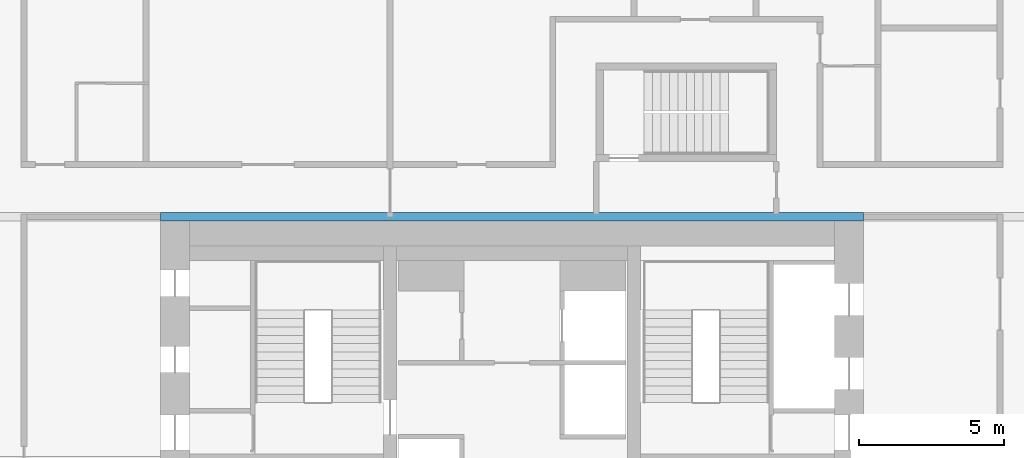
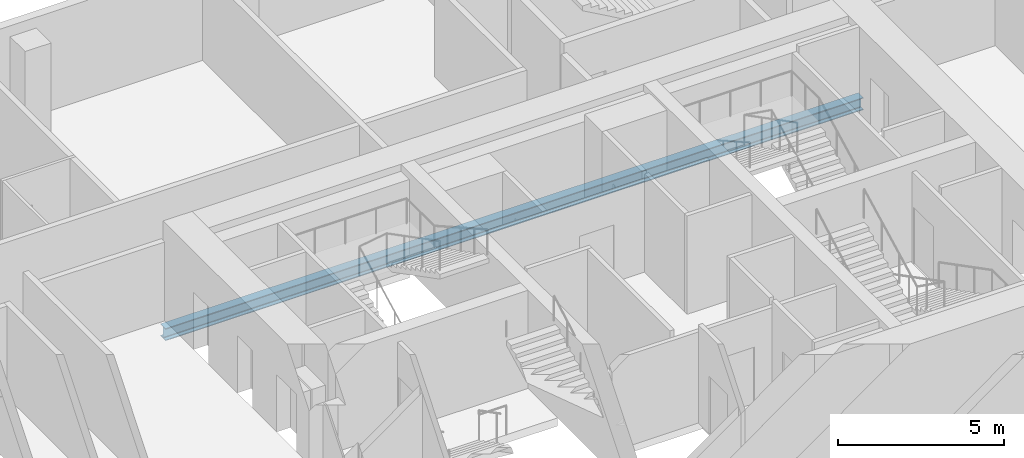
# One storey, part 9 of 23: 1 beam.
"""IFC4 building model written with IfcOpenShell, lengths in metres."""

from ifc_helpers import new_model, si_unit, direction, frame, origin, origin_2d, place, context, subcontext, project, spatial, i_section, extrude, material, material_profile, profile_set, type_object, element, save


model = new_model("IFC4")

# Units and contexts
model_context = context("Model", 3, precision=1e-05, world=origin(), true_north=direction((0.0, 1.0)))
body_context = subcontext(model_context, "Body", "Model", "MODEL_VIEW")
ifc_project = project(units=[si_unit("LENGTHUNIT", "METRE"), si_unit("AREAUNIT", "SQUARE_METRE"), si_unit("VOLUMEUNIT", "CUBIC_METRE"), si_unit("PLANEANGLEUNIT", "RADIAN"), si_unit("MASSUNIT", "GRAM", prefix="KILO")], contexts=[model_context])

# Site, building, storey
site_placement = place(None, origin())
site = spatial("IfcSite", under=ifc_project, at=site_placement, CompositionType="ELEMENT")
building_placement = place(site_placement, origin())
building = spatial("IfcBuilding", under=site, at=building_placement, Name="Marenta Gate Hotel Tower", CompositionType="ELEMENT")
storey_placement = place(building_placement, frame((0.0, 0.0, 148.10009765625)))
storey = spatial("IfcBuildingStorey", under=building, at=storey_placement, Name="L34", CompositionType="ELEMENT", Elevation=148.10009765625)

# Beam
ifc_material = material(Name="Steel S355", Category="steel")
ifc_material_profile = material_profile(ifc_material, i_section(OverallWidth=0.300048828125, OverallDepth=0.449951171875, WebThickness=0.013916015625, FlangeThickness=0.02587890625, FilletRadius=0.027099609375, at=origin_2d()), Name="HEB 450")
ifc_profile_set = profile_set([ifc_material_profile], Name="Steel S355")
beam_type = type_object("IfcBeamType", Name="Girder HEB 450", PredefinedType="BEAM", material=ifc_profile_set)
beam_placement = place(storey_placement, frame((-12.10009765625, 16.800048828125, -0.485107421875), z_axis=(1.0, 0.0, 0.0), x_axis=(0.0, 1.0, 0.0)))
element("IfcBeam", 1, at=beam_placement, inside=storey, type_object=beam_type, Name="L34-GD-26", PredefinedType="BEAM", context=body_context, shape_type="SweptSolid", body=[
    extrude(i_section(OverallWidth=0.300048828125, OverallDepth=0.449951171875, WebThickness=0.013916015625, FlangeThickness=0.02587890625, FilletRadius=0.027099609375, at=origin_2d()), origin(), (0.0, 0.0, 1.0), 24.2001953125),
])

save(model, "model.ifc")
